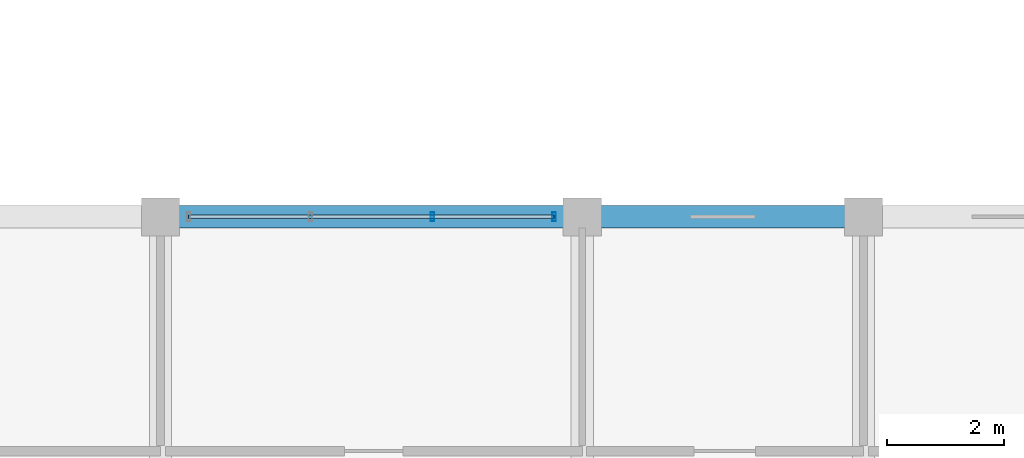
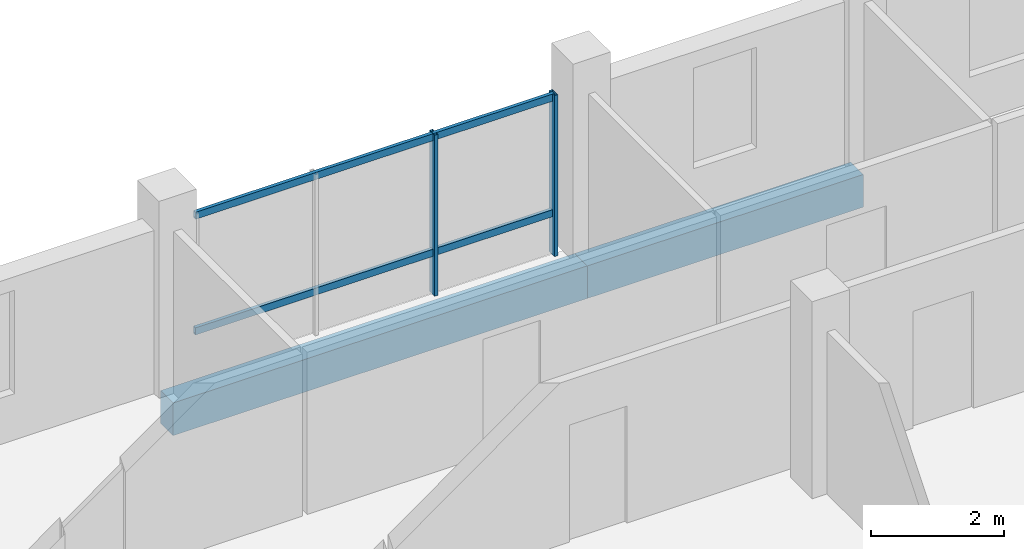
# One storey, part 7 of 93: 4 members, 2 beams, 1 element without a shape of its own.
"""IFC4 building model written with IfcOpenShell, lengths in metres."""

from ifc_helpers import new_model, si_unit, direction, frame, origin, origin_2d, place, context, subcontext, project, spatial, rectangle, hollow_rectangle, extrude, material, material_profile, profile_set, type_object, element, aggregate, save


model = new_model("IFC4")

# Units and contexts
model_context = context("Model", 3, precision=1e-05, world=origin(), true_north=direction((0.0, 1.0)))
body_context = subcontext(model_context, "Body", "Model", "MODEL_VIEW")
ifc_project = project(units=[si_unit("LENGTHUNIT", "METRE"), si_unit("AREAUNIT", "SQUARE_METRE"), si_unit("VOLUMEUNIT", "CUBIC_METRE"), si_unit("PLANEANGLEUNIT", "RADIAN"), si_unit("MASSUNIT", "GRAM", prefix="KILO")], contexts=[model_context])

# Site, building, storey
site_placement = place(None, origin())
site = spatial("IfcSite", under=ifc_project, at=site_placement, CompositionType="ELEMENT")
building_placement = place(site_placement, origin())
building = spatial("IfcBuilding", under=site, at=building_placement, Name="Zornivar Specialist Clinic", CompositionType="ELEMENT")
storey_placement = place(building_placement, frame((0.0, 0.0, 8.39990234375)))
storey = spatial("IfcBuildingStorey", under=building, at=storey_placement, Name="L02", CompositionType="ELEMENT", Elevation=8.39990234375)

# Beams
ifc_material_1 = material(Name="Concrete C30/37", Category="concrete")
ifc_material_profile_1 = material_profile(ifc_material_1, rectangle(XDim=0.3798828125, YDim=0.60009765625, at=origin_2d()), Name="RC 380x600")
ifc_profile_set_1 = profile_set([ifc_material_profile_1], Name="Concrete C30/37")
beam_type = type_object("IfcBeamType", Name="BM-RC-380x600", PredefinedType="BEAM", material=ifc_profile_set_1)
beam_1_placement = place(storey_placement, frame((21.60009765625, 14.39990234375, -0.579833984375), z_axis=(1.0, 0.0, 0.0), x_axis=(0.0, 1.0, 0.0)))
element("IfcBeam", 1, at=beam_1_placement, inside=storey, type_object=beam_type, Name="bm:V2:L02:x:144:3", PredefinedType="BEAM", context=body_context, shape_type="SweptSolid", body=[
    extrude(rectangle(XDim=0.3798828125, YDim=0.60009765625, at=origin_2d()), origin(), (0.0, 0.0, 1.0), 7.199951171875),
])
beam_2_placement = place(storey_placement, frame((28.800048828125, 14.39990234375, -0.579833984375), z_axis=(1.0, 0.0, 0.0), x_axis=(0.0, 1.0, 0.0)))
element("IfcBeam", 2, at=beam_2_placement, inside=storey, type_object=beam_type, Name="bm:V2:L02:x:144:4", PredefinedType="BEAM", context=body_context, shape_type="SweptSolid", body=[
    extrude(rectangle(XDim=0.3798828125, YDim=0.60009765625, at=origin_2d()), origin(), (0.0, 0.0, 1.0), 4.800048828125),
])

# Curtain wall, members
ifc_material_2 = material(Name="Aluminium and Low-E Glass Curtain Wall", Category="aluminium")
curtain_wall_type = type_object("IfcCurtainWallType", Name="CW-REVAK-COURT", PredefinedType="NOTDEFINED", material=ifc_material_2)
curtain_wall_placement = place(storey_placement, origin())
curtain_wall = element("IfcCurtainWall", 3, at=curtain_wall_placement, inside=storey, type_object=curtain_wall_type, Name="cw:V2:L02:12", PredefinedType="NOTDEFINED")
ifc_material_3 = material(Name="Aluminium AW-6060", Category="aluminium")
ifc_material_profile_2 = material_profile(ifc_material_3, hollow_rectangle(XDim=0.06005859375, YDim=0.159912109375, WallThickness=0.00390625, at=origin_2d()), Name="ALU 60x160x4")
ifc_profile_set_2 = profile_set([ifc_material_profile_2], Name="Aluminium AW-6060")
member_type_1 = type_object("IfcMemberType", Name="CWM-MUL-160", PredefinedType="MULLION", material=ifc_profile_set_2)
member_1_placement = place(storey_placement, frame((28.320068359375, 14.39990234375, 0.0), z_axis=(0.0, 0.0, 1.0), x_axis=(1.0, 0.0, 0.0)))
member_1 = element("IfcMember", 4, at=member_1_placement, type_object=member_type_1, Name="cw:V2:L02:12:mul:0", PredefinedType="MULLION", context=body_context, shape_type="SweptSolid", body=[
    extrude(hollow_rectangle(XDim=0.06005859375, YDim=0.159912109375, WallThickness=0.00390625, at=origin_2d()), origin(), (0.0, 0.0, 1.0), 2.960205078125),
])
member_2_placement = place(storey_placement, frame((26.239990234375, 14.39990234375, 0.0), z_axis=(0.0, 0.0, 1.0), x_axis=(1.0, 0.0, 0.0)))
member_2 = element("IfcMember", 5, at=member_2_placement, type_object=member_type_1, Name="cw:V2:L02:12:mul:1", PredefinedType="MULLION", context=body_context, shape_type="SweptSolid", body=[
    extrude(hollow_rectangle(XDim=0.06005859375, YDim=0.159912109375, WallThickness=0.00390625, at=origin_2d()), origin(), (0.0, 0.0, 1.0), 2.960205078125),
])
ifc_material_4 = material(Name="Aluminium AW-6060", Category="aluminium")
ifc_material_profile_3 = material_profile(ifc_material_4, hollow_rectangle(XDim=0.06005859375, YDim=0.1298828125, WallThickness=0.00390625, at=origin_2d()), Name="ALU 60x130x4")
ifc_profile_set_3 = profile_set([ifc_material_profile_3], Name="Aluminium AW-6060")
member_type_2 = type_object("IfcMemberType", Name="CWM-TRN-130", PredefinedType="USERDEFINED", material=ifc_profile_set_3)
member_3_placement = place(storey_placement, frame((28.320068359375, 14.39990234375, 0.77001953125), z_axis=(-1.0, 0.0, 0.0), x_axis=(0.0, -1.0, 0.0)))
member_3 = element("IfcMember", 6, at=member_3_placement, type_object=member_type_2, Name="cw:V2:L02:12:trn:0", ObjectType="TRANSOM", PredefinedType="USERDEFINED", context=body_context, shape_type="SweptSolid", body=[
    extrude(hollow_rectangle(XDim=0.06005859375, YDim=0.1298828125, WallThickness=0.00390625, at=origin_2d()), origin(), (0.0, 0.0, 1.0), 6.239990234375),
])
member_4_placement = place(storey_placement, frame((28.320068359375, 14.39990234375, 2.89501953125), z_axis=(-1.0, 0.0, 0.0), x_axis=(0.0, -1.0, 0.0)))
member_4 = element("IfcMember", 7, at=member_4_placement, type_object=member_type_2, Name="cw:V2:L02:12:trn:1", ObjectType="TRANSOM", PredefinedType="USERDEFINED", context=body_context, shape_type="SweptSolid", body=[
    extrude(hollow_rectangle(XDim=0.06005859375, YDim=0.1298828125, WallThickness=0.00390625, at=origin_2d()), origin(), (0.0, 0.0, 1.0), 6.239990234375),
])
aggregate(curtain_wall, [member_1, member_2, member_3, member_4])

save(model, "model.ifc")
